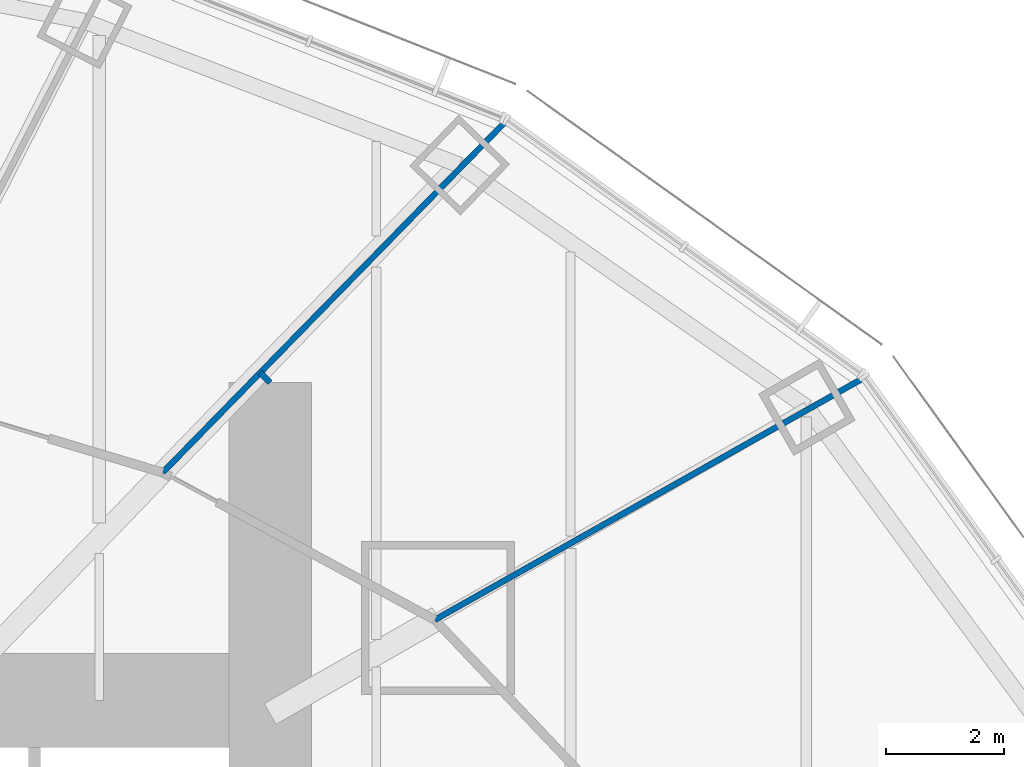
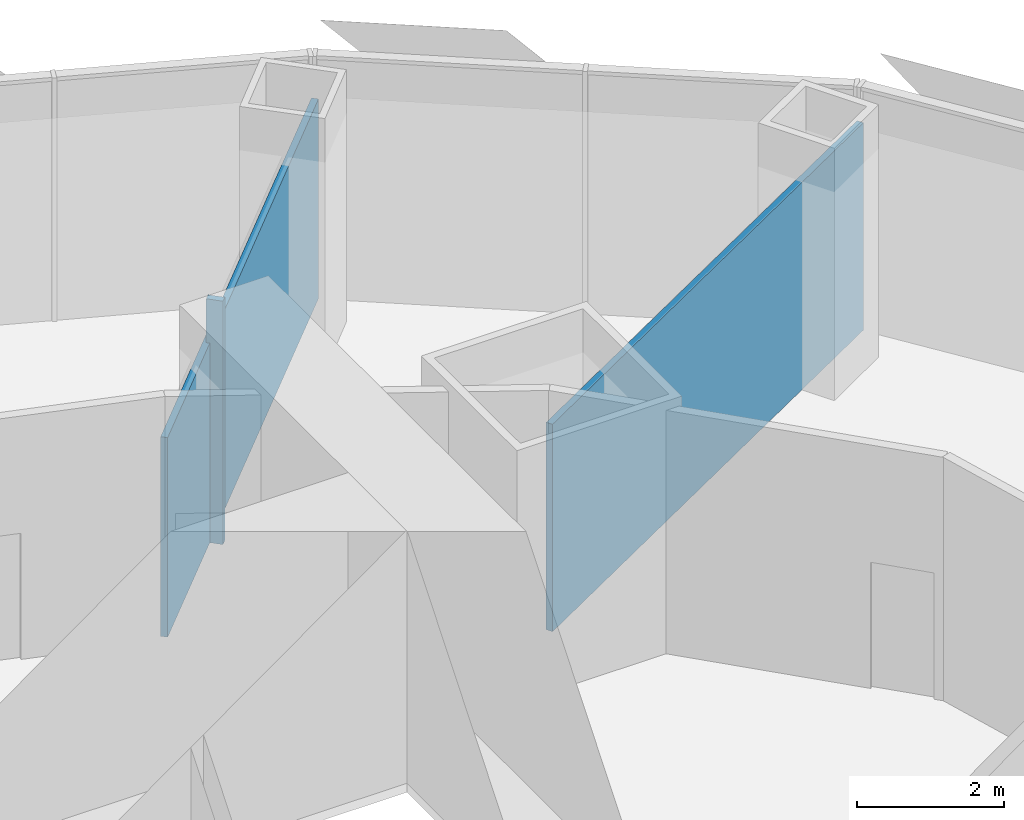
# One storey, part 13 of 18: 3 walls.
"""IFC4 building model written with IfcOpenShell, lengths in metres."""

from ifc_helpers import new_model, si_unit, direction, frame, frame_2d, origin, place, context, subcontext, project, spatial, rectangle, extrude, material, layer, layer_set, type_object, element, save


model = new_model("IFC4")

# Units and contexts
model_context = context("Model", 3, precision=1e-05, world=origin(), true_north=direction((0.0, 1.0)))
body_context = subcontext(model_context, "Body", "Model", "MODEL_VIEW")
ifc_project = project(units=[si_unit("LENGTHUNIT", "METRE"), si_unit("AREAUNIT", "SQUARE_METRE"), si_unit("VOLUMEUNIT", "CUBIC_METRE"), si_unit("PLANEANGLEUNIT", "RADIAN"), si_unit("MASSUNIT", "GRAM", prefix="KILO")], contexts=[model_context])

# Site, building, storey
site_placement = place(None, origin())
site = spatial("IfcSite", under=ifc_project, at=site_placement, CompositionType="ELEMENT")
building_placement = place(site_placement, origin())
building = spatial("IfcBuilding", under=site, at=building_placement, Name="Lantaw Convention Tower", CompositionType="ELEMENT")
storey_placement = place(building_placement, frame((0.0, 0.0, 180.39990234375)))
storey = spatial("IfcBuildingStorey", under=building, at=storey_placement, Name="L42", CompositionType="ELEMENT", Elevation=180.39990234375)

# Walls
ifc_material = material(Name="Gypsum board on steel studs, acoustic", Category="steel")
ifc_layer = layer(ifc_material, 0.10009765625)
ifc_layer_set = layer_set([ifc_layer], Name="Office partition 100")
wall_type = type_object("IfcWallType", Name="Office partition 100", PredefinedType="PARTITIONING", material=ifc_layer_set)
wall_1_placement = place(storey_placement, frame((22.94921875, 13.058837890625, 0.0), z_axis=(0.0, 0.0, 1.0), x_axis=(-0.871079462611, -0.491142107558, 0.0)))
element("IfcWall", 1, at=wall_1_placement, inside=storey, type_object=wall_type, Name="Office partition 100", PredefinedType="PARTITIONING", context=body_context, shape_type="SweptSolid", body=[
    extrude(rectangle(XDim=8.3271484375, YDim=0.10009765625, at=frame_2d((4.16357421875, 0.0))), origin(), (0.0, 0.0, 1.0), 3.45068359375),
])
wall_2_placement = place(storey_placement, frame((16.88232421875, 17.413818359375, 0.0), z_axis=(0.0, 0.0, 1.0), x_axis=(-0.698758056249, -0.715358077348, 0.0)))
element("IfcWall", 2, at=wall_2_placement, inside=storey, type_object=wall_type, Name="Office partition 100", PredefinedType="PARTITIONING", context=body_context, shape_type="SweptSolid", body=[
    extrude(rectangle(XDim=8.3095703125, YDim=0.10009765625, at=frame_2d((4.15478515625, 0.0))), origin(), (0.0, 0.0, 1.0), 3.321044921875),
])
wall_3_placement = place(storey_placement, frame((12.89990234375, 13.0, 0.0), z_axis=(0.0, 0.0, 1.0), x_axis=(-0.714845300066, 0.699282630253, 0.0)))
element("IfcWall", 3, at=wall_3_placement, inside=storey, type_object=wall_type, Name="Office partition 100", PredefinedType="PARTITIONING", context=body_context, shape_type="SweptSolid", body=[
    extrude(rectangle(XDim=0.2353515625, YDim=0.10009765625, at=frame_2d((0.11767578125, 0.0))), origin(), (0.0, 0.0, 1.0), 4.050048828125),
])

save(model, "model.ifc")
